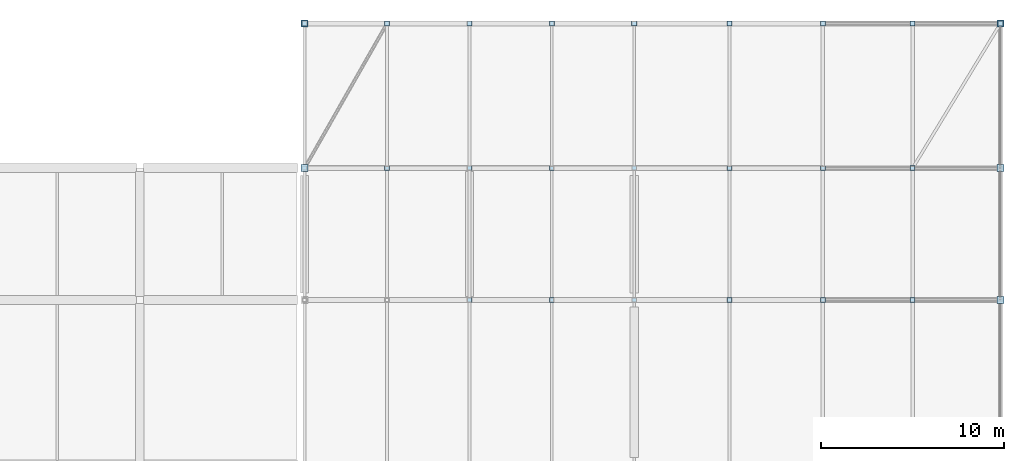
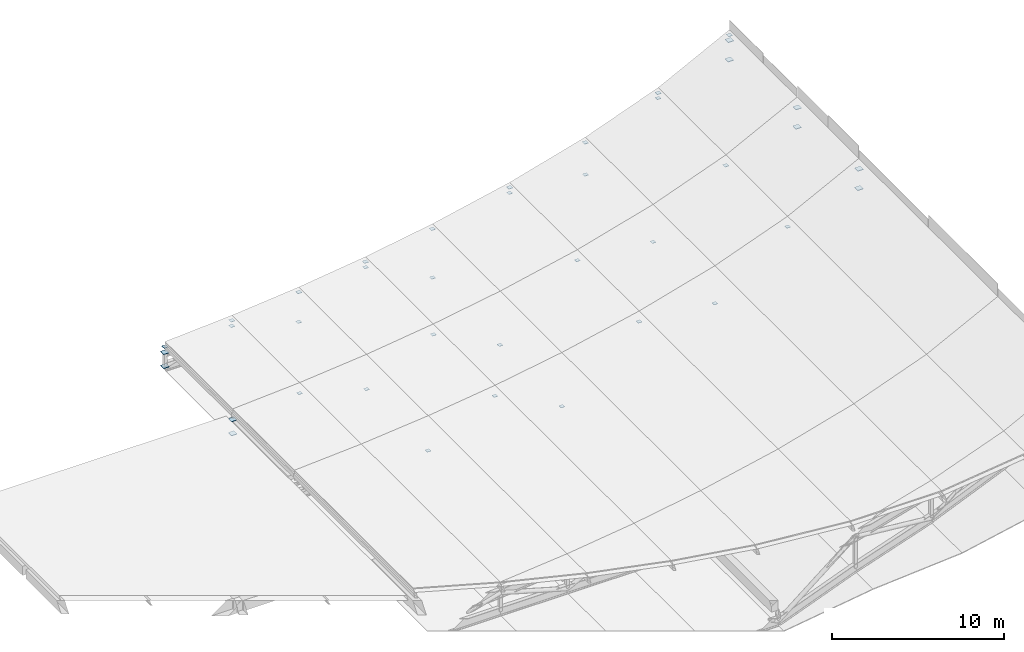
# One storey, part 22 of 24: 39 plates.
"""IFC4 building model written with IfcOpenShell, lengths in metres."""

from ifc_helpers import new_model, si_unit, direction, frame, origin, origin_2d, place, context, subcontext, project, spatial, rectangle, extrude, material, layer, layer_set, type_object, element, save


model = new_model("IFC4")

# Units and contexts
model_context = context("Model", 3, precision=1e-05, world=origin(), true_north=direction((0.0, 1.0)))
body_context = subcontext(model_context, "Body", "Model", "MODEL_VIEW")
ifc_project = project(units=[si_unit("LENGTHUNIT", "METRE"), si_unit("AREAUNIT", "SQUARE_METRE"), si_unit("VOLUMEUNIT", "CUBIC_METRE"), si_unit("PLANEANGLEUNIT", "RADIAN"), si_unit("MASSUNIT", "GRAM", prefix="KILO"), si_unit("THERMODYNAMICTEMPERATUREUNIT", "KELVIN"), si_unit("POWERUNIT", "WATT")], contexts=[model_context])

# Site, building, storey
site_placement = place(None, origin())
site = spatial("IfcSite", under=ifc_project, at=site_placement, CompositionType="ELEMENT")
building_placement = place(site_placement, origin())
building = spatial("IfcBuilding", under=site, at=building_placement, Name="Sindhuravela Promenade Stadium", CompositionType="ELEMENT")
storey_placement = place(building_placement, frame((0.0, 0.0, 28.800048828125)))
storey = spatial("IfcBuildingStorey", under=building, at=storey_placement, Name="RF", CompositionType="ELEMENT", Elevation=28.800048828125)

# Plates
ifc_material = material(Name="Steel E350 (IS 2062 E350BR)", Category="steel")
ifc_layer_1 = layer(ifc_material, 0.02392578125)
ifc_layer_set_1 = layer_set([ifc_layer_1], Name="Steel E350 (IS 2062 E350BR)")
plate_type_1 = type_object("IfcPlateType", Name="ST-PL-CAP24", PredefinedType="USERDEFINED", material=ifc_layer_set_1)
for number, where, z_axis, x_axis, name in (
    (1, (18.0, 124.89990234375, -0.02001953125), (0.0, 0.0, 1.0), (1.0, 0.0, 0.0), "Purlin end cap plate CP01 W-50"),
    (2, (22.5, 124.89990234375, 0.273193359375), (0.0, 0.0, 1.0), (1.0, 0.0, 0.0), "Purlin end cap plate CP01 W-51"),
    (3, (27.0, 124.89990234375, 0.708740234375), (0.0, 0.0, 1.0), (1.0, 0.0, 0.0), "Purlin end cap plate CP01 W-52"),
    (4, (31.5, 124.89990234375, 1.298095703125), (0.0, 0.0, 1.0), (1.0, 0.0, 0.0), "Purlin end cap plate CP01 W-53"),
    (5, (36.0, 124.89990234375, 2.05908203125), (0.0, 0.0, 1.0), (1.0, 0.0, 0.0), "Purlin end cap plate CP01 W-54"),
    (6, (41.199951171875, 124.89990234375, 3.189453125), (0.0, 0.0, 1.0), (1.0, 0.0, 0.0), "Purlin end cap plate CP01 W-55"),
    (7, (46.300048828125, 124.89990234375, 4.6015625), (0.0, 0.0, 1.0), (1.0, 0.0, 0.0), "Purlin end cap plate CP01 W-56"),
    (8, (51.199951171875, 124.89990234375, 6.41015625), (0.0, 0.0, 1.0), (1.0, 0.0, 0.0), "Purlin end cap plate CP01 W-57"),
    (9, (56.0, 124.89990234375, 8.85009765625), (0.0, 0.0, 1.0), (1.0, 0.0, 0.0), "Purlin end cap plate CP01 W-58"),
    (10, (22.5, 124.89990234375, -0.11865234375), (0.0, 0.0, 1.0), (1.0, 0.0, 0.0), "Brace end cap plate CP01 W-59"),
    (11, (51.199951171875, 117.0, 6.04296875), (0.0, 0.0, 1.0), (1.0, 0.0, 0.0), "Brace end cap plate CP01 W-60"),
):
    element("IfcPlate", number, at=place(storey_placement, frame(where, z_axis=z_axis, x_axis=x_axis)), inside=storey, type_object=plate_type_1, Name=name, ObjectType="GUSSET PLATE", PredefinedType="USERDEFINED", context=body_context, shape_type="SweptSolid", body=[
        extrude(rectangle(XDim=0.280029296875, YDim=0.280029296875, at=origin_2d()), origin(), (0.0, 0.0, 1.0), 0.02392578125),
    ])
for number, where, z_axis, x_axis, name in (
    (12, (27.0, 109.800048828125, -1.412109375), (0.0, 0.0, 1.0), (1.0, 0.0, 0.0), "Brace end gusset plate CP01 BR-0052B"),
    (13, (31.5, 109.800048828125, 0.906005859375), (0.0, 0.0, 1.0), (1.0, 0.0, 0.0), "Brace end gusset plate CP01 BR-0053B"),
    (14, (36.0, 109.800048828125, -1.412109375), (0.0, 0.0, 1.0), (1.0, 0.0, 0.0), "Brace end gusset plate CP01 BR-0054B"),
    (15, (41.199951171875, 109.800048828125, 2.79736328125), (0.0, 0.0, 1.0), (1.0, 0.0, 0.0), "Brace end gusset plate CP01 BR-0055B"),
    (16, (46.300048828125, 109.800048828125, 2.31396484375), (0.0, 0.0, 1.0), (1.0, 0.0, 0.0), "Brace end gusset plate CP01 BR-0056B"),
    (17, (51.199951171875, 109.800048828125, 6.04296875), (0.0, 0.0, 1.0), (1.0, 0.0, 0.0), "Brace end gusset plate CP01 BR-0057B"),
    (18, (22.5, 117.0, -0.11865234375), (0.0, 0.0, 1.0), (1.0, 0.0, 0.0), "Brace end gusset plate CP01 BR-0058B"),
    (19, (27.0, 117.0, -1.412109375), (0.0, 0.0, 1.0), (1.0, 0.0, 0.0), "Brace end gusset plate CP01 BR-0059B"),
    (20, (31.5, 117.0, 0.906005859375), (0.0, 0.0, 1.0), (1.0, 0.0, 0.0), "Brace end gusset plate CP01 BR-0060B"),
    (21, (36.0, 117.0, -1.412109375), (0.0, 0.0, 1.0), (1.0, 0.0, 0.0), "Brace end gusset plate CP01 BR-0061B"),
    (22, (41.199951171875, 117.0, 2.79736328125), (0.0, 0.0, 1.0), (1.0, 0.0, 0.0), "Brace end gusset plate CP01 BR-0062B"),
    (23, (46.300048828125, 117.0, 2.31396484375), (0.0, 0.0, 1.0), (1.0, 0.0, 0.0), "Brace end gusset plate CP01 BR-0063B"),
    (24, (27.0, 124.89990234375, -1.412109375), (0.0, 0.0, 1.0), (1.0, 0.0, 0.0), "Brace end gusset plate CP01 BR-0064B"),
    (25, (31.5, 124.89990234375, 0.906005859375), (0.0, 0.0, 1.0), (1.0, 0.0, 0.0), "Brace end gusset plate CP01 BR-0065B"),
    (26, (36.0, 124.89990234375, -1.412109375), (0.0, 0.0, 1.0), (1.0, 0.0, 0.0), "Brace end gusset plate CP01 BR-0066B"),
    (27, (41.199951171875, 124.89990234375, 2.79736328125), (0.0, 0.0, 1.0), (1.0, 0.0, 0.0), "Brace end gusset plate CP01 BR-0067B"),
    (28, (46.300048828125, 124.89990234375, 2.31396484375), (0.0, 0.0, 1.0), (1.0, 0.0, 0.0), "Brace end gusset plate CP01 BR-0068B"),
    (29, (51.199951171875, 124.89990234375, 6.04296875), (0.0, 0.0, 1.0), (1.0, 0.0, 0.0), "Brace end gusset plate CP01 BR-0069B"),
):
    element("IfcPlate", number, at=place(storey_placement, frame(where, z_axis=z_axis, x_axis=x_axis)), inside=storey, type_object=plate_type_1, Name=name, ObjectType="GUSSET PLATE", PredefinedType="USERDEFINED", context=body_context, shape_type="SweptSolid", body=[
        extrude(rectangle(XDim=0.260009765625, YDim=0.260009765625, at=origin_2d()), origin(), (0.0, 0.0, 1.0), 0.02392578125),
    ])
ifc_layer_2 = layer(ifc_material, 0.033935546875)
ifc_layer_set_2 = layer_set([ifc_layer_2], Name="Steel E350 (IS 2062 E350BR)")
plate_type_2 = type_object("IfcPlateType", Name="ST-PL-CAP34", PredefinedType="USERDEFINED", material=ifc_layer_set_2)
for number, where, z_axis, x_axis, name in (
    (30, (56.0, 109.800048828125, 8.47802734375), (0.0, 0.0, 1.0), (1.0, 0.0, 0.0), "Truss end gusset cap plate CP02 W07-9T"),
    (31, (56.0, 109.800048828125, 7.10302734375), (0.0, 0.0, 1.0), (1.0, 0.0, 0.0), "Truss end gusset cap plate CP02 W07-9B"),
    (32, (18.0, 117.0, -0.4169921875), (0.0, 0.0, 1.0), (1.0, 0.0, 0.0), "Truss end gusset cap plate CP02 W08-1T"),
    (33, (18.0, 117.0, -1.4169921875), (0.0, 0.0, 1.0), (1.0, 0.0, 0.0), "Truss end gusset cap plate CP02 W08-1B"),
    (34, (56.0, 117.0, 8.47802734375), (0.0, 0.0, 1.0), (1.0, 0.0, 0.0), "Truss end gusset cap plate CP02 W08-9T"),
    (35, (56.0, 117.0, 7.10302734375), (0.0, 0.0, 1.0), (1.0, 0.0, 0.0), "Truss end gusset cap plate CP02 W08-9B"),
    (36, (18.0, 124.89990234375, -0.4169921875), (0.0, 0.0, 1.0), (1.0, 0.0, 0.0), "Truss end gusset cap plate CP02 W09-1T"),
    (37, (18.0, 124.89990234375, -1.4169921875), (0.0, 0.0, 1.0), (1.0, 0.0, 0.0), "Truss end gusset cap plate CP02 W09-1B"),
    (38, (56.0, 124.89990234375, 8.47802734375), (0.0, 0.0, 1.0), (1.0, 0.0, 0.0), "Truss end gusset cap plate CP02 W09-9T"),
    (39, (56.0, 124.89990234375, 7.10302734375), (0.0, 0.0, 1.0), (1.0, 0.0, 0.0), "Truss end gusset cap plate CP02 W09-9B"),
):
    element("IfcPlate", number, at=place(storey_placement, frame(where, z_axis=z_axis, x_axis=x_axis)), inside=storey, type_object=plate_type_2, Name=name, ObjectType="GUSSET PLATE", PredefinedType="USERDEFINED", context=body_context, shape_type="SweptSolid", body=[
        extrude(rectangle(XDim=0.3798828125, YDim=0.3798828125, at=origin_2d()), origin(), (0.0, 0.0, 1.0), 0.033935546875),
    ])

save(model, "model.ifc")
